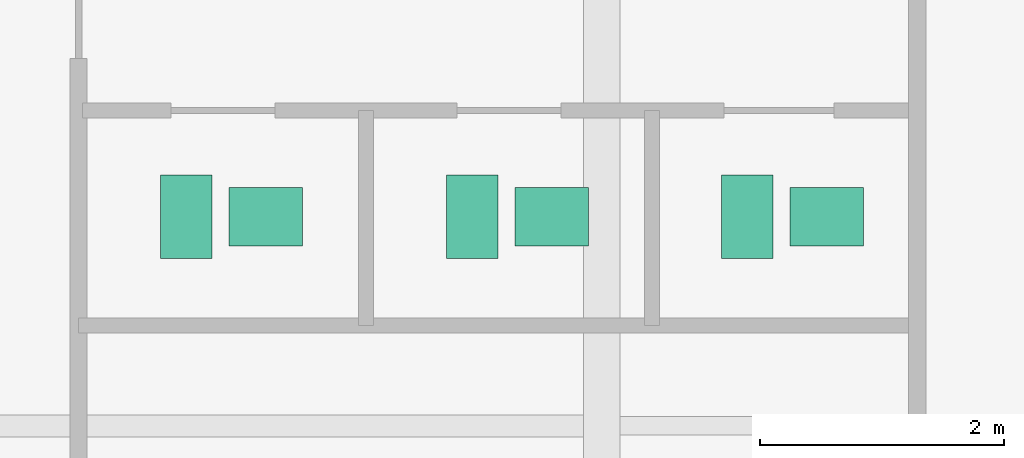
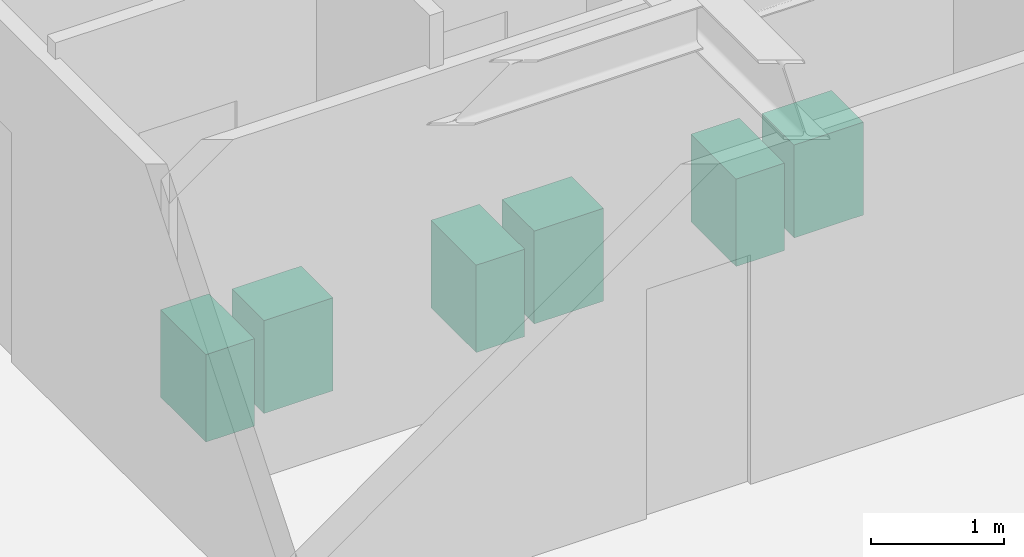
# One storey, part 26 of 26: 6 sanitary terminals.
"""IFC4 building model written with IfcOpenShell, lengths in metres."""

from ifc_helpers import new_model, si_unit, direction, frame, origin, origin_2d, place, context, subcontext, project, spatial, rectangle, extrude, source, transform, mapped, material, type_object, type_shapes, element, save


model = new_model("IFC4")

# Units and contexts
model_context = context("Model", 3, precision=1e-05, world=origin(), true_north=direction((0.0, 1.0)))
body_context = subcontext(model_context, "Body", "Model", "MODEL_VIEW")
ifc_project = project(units=[si_unit("LENGTHUNIT", "METRE"), si_unit("AREAUNIT", "SQUARE_METRE"), si_unit("VOLUMEUNIT", "CUBIC_METRE"), si_unit("PLANEANGLEUNIT", "RADIAN"), si_unit("MASSUNIT", "GRAM", prefix="KILO")], contexts=[model_context])

# Site, building, storey
site_placement = place(None, origin())
site = spatial("IfcSite", under=ifc_project, at=site_placement, CompositionType="ELEMENT")
building_placement = place(site_placement, origin())
building = spatial("IfcBuilding", under=site, at=building_placement, Name="Krantzveldt Concourse Tower", CompositionType="ELEMENT")
storey_placement = place(building_placement, frame((0.0, 0.0, 219.14990234375)))
storey = spatial("IfcBuildingStorey", under=building, at=storey_placement, Name="L53", CompositionType="ELEMENT", Elevation=219.14990234375)

# Sanitary terminals
ifc_material = material(Name="Vitreous china", Category="ceramic")
sanitary_terminal_type_1 = type_object("IfcSanitaryTerminalType", Name="SAN-WC-SUITE", PredefinedType="TOILETPAN", material=ifc_material)
shared_shape_1 = source(origin(), body_context, "Body", "SweptSolid", [
    extrude(rectangle(XDim=0.419921875, YDim=0.679931640625, at=origin_2d()), origin(), (0.0, 0.0, 1.0), 0.800048828125),
])
type_shapes(sanitary_terminal_type_1, [shared_shape_1])
for number, where, z_axis, x_axis, name in (
    (1, (38.0, 31.909912109375, 0.0), (0.0, 0.0, 1.0), (1.0, 0.0, 0.0), "WC-SP-L53-WCM"),
    (2, (40.340087890625, 31.909912109375, 0.0), (0.0, 0.0, 1.0), (1.0, 0.0, 0.0), "WC-SP-L53-WCF"),
    (3, (42.590087890625, 31.909912109375, 0.0), (0.0, 0.0, 1.0), (1.0, 0.0, 0.0), "WC-SP-L53-WCA"),
):
    element("IfcSanitaryTerminal", number, at=place(storey_placement, frame(where, z_axis=z_axis, x_axis=x_axis)), inside=storey, type_object=sanitary_terminal_type_1, Name=name, PredefinedType="TOILETPAN", context=body_context, shape_type="MappedRepresentation", body=[
        mapped(shared_shape_1, transform((0.0, 0.0, 0.0), x_axis=(1.0, 0.0, 0.0), y_axis=(0.0, 1.0, 0.0), z_axis=(0.0, 0.0, 1.0), scale=1.0)),
    ])
sanitary_terminal_type_2 = type_object("IfcSanitaryTerminalType", Name="SAN-BASIN-600", PredefinedType="WASHHANDBASIN", material=ifc_material)
shared_shape_2 = source(origin(), body_context, "Body", "SweptSolid", [
    extrude(rectangle(XDim=0.60009765625, YDim=0.47998046875, at=origin_2d()), origin(), (0.0, 0.0, 1.0), 0.85009765625),
])
type_shapes(sanitary_terminal_type_2, [shared_shape_2])
for number, where, z_axis, x_axis, name in (
    (4, (38.64990234375, 31.909912109375, 0.005126953125), (0.0, 0.0, 1.0), (1.0, 0.0, 0.0), "BSN-SP-L53-WCM"),
    (5, (40.989990234375, 31.909912109375, 0.005126953125), (0.0, 0.0, 1.0), (1.0, 0.0, 0.0), "BSN-SP-L53-WCF"),
    (6, (43.239990234375, 31.909912109375, 0.005126953125), (0.0, 0.0, 1.0), (1.0, 0.0, 0.0), "BSN-SP-L53-WCA"),
):
    element("IfcSanitaryTerminal", number, at=place(storey_placement, frame(where, z_axis=z_axis, x_axis=x_axis)), inside=storey, type_object=sanitary_terminal_type_2, Name=name, PredefinedType="WASHHANDBASIN", context=body_context, shape_type="MappedRepresentation", body=[
        mapped(shared_shape_2, transform((0.0, 0.0, 0.0), x_axis=(1.0, 0.0, 0.0), y_axis=(0.0, 1.0, 0.0), z_axis=(0.0, 0.0, 1.0), scale=1.0)),
    ])

save(model, "model.ifc")
